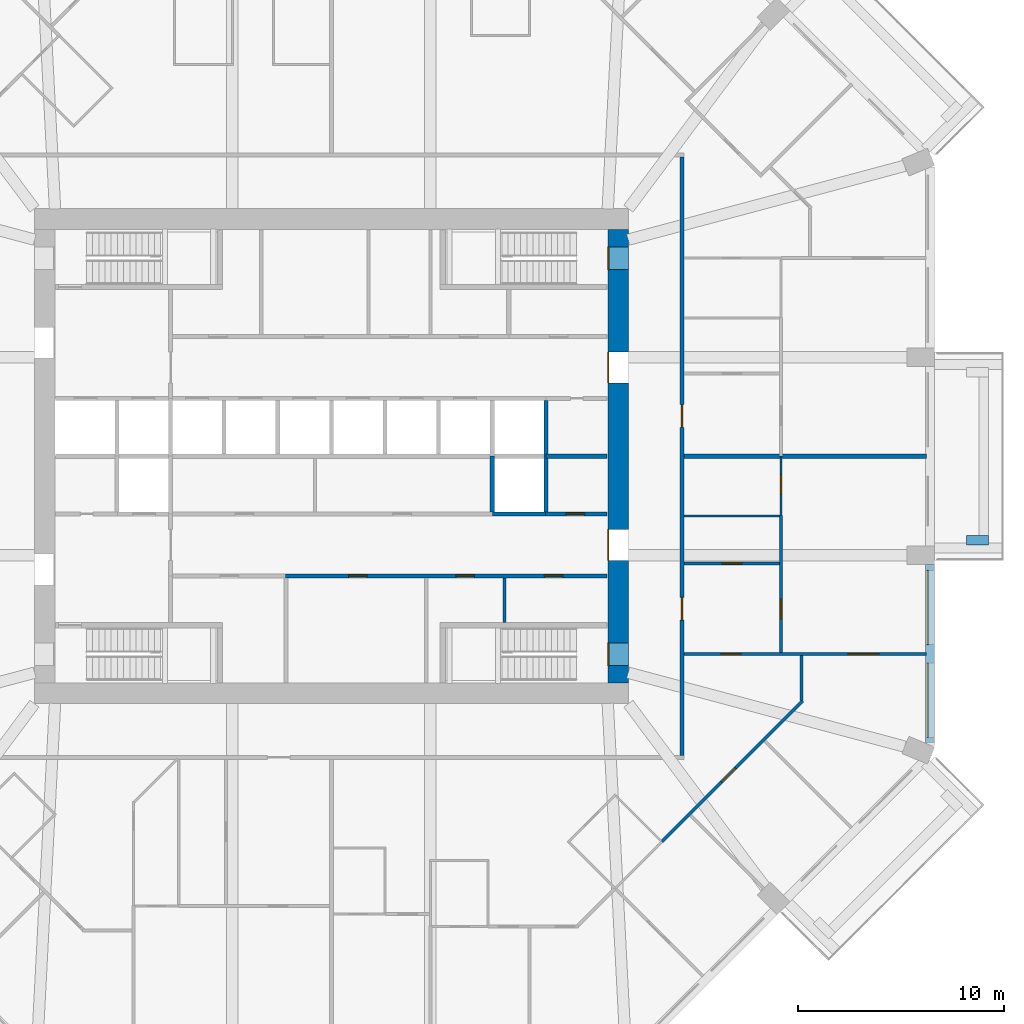
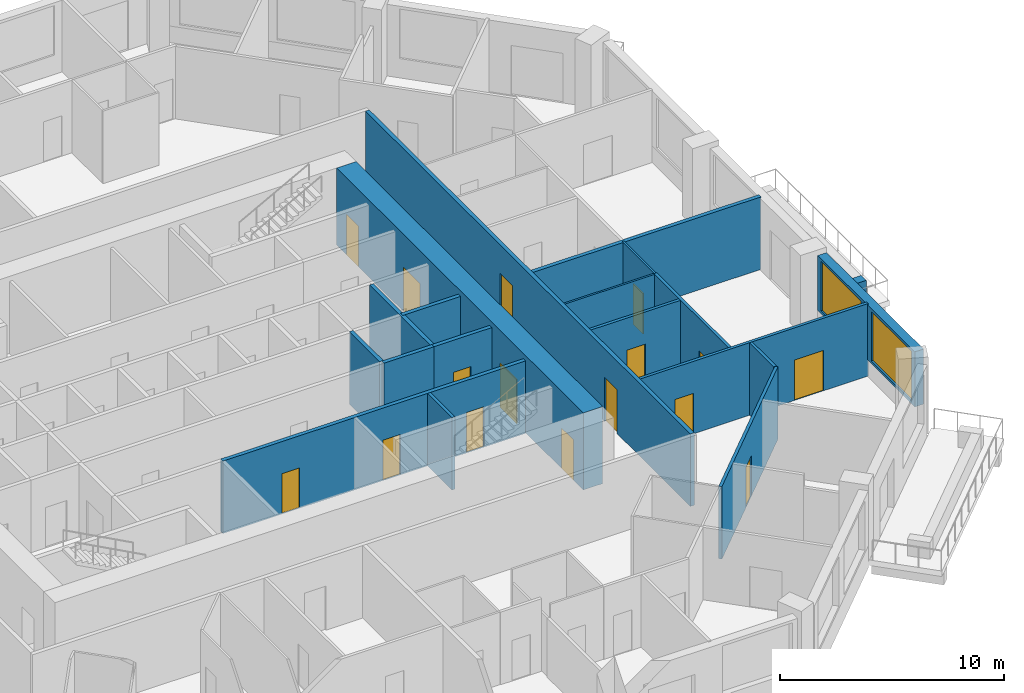
# One storey, part 6 of 13: 19 walls, 16 doors, 2 windows, 18 openings.
"""IFC4 building model written with IfcOpenShell, lengths in metres."""

import ifcopenshell
import ifcopenshell.guid

model = None  # the IFC model being written
_history = None  # IfcOwnerHistory: only IFC2X3 demands one
_inside = {}  # id of a spatial element -> (the spatial element, [elements in it])
_under = {}  # id of a project, library or spatial element -> (it, [spatial elements below it])
_declared = {}  # id of a project -> (the project, [libraries it declares])
_typed = {}  # id of a type object -> (the type object, [elements of that type])
_made_of = {}  # id of a material, layer set ... -> (it, [elements and type objects made of it])


def new_model(schema):
    """Start an empty IFC model of exactly this schema.

    Asked for "IFC4X3", IfcOpenShell would pick the latest addendum, in which some entities
    have other attributes; the version numbers below select the first issue.
    IFC2X3 requires an IfcOwnerHistory on every rooted entity: one is made here for all.
    """
    global model, _history
    if schema == "IFC4X3":
        model = ifcopenshell.file(schema_version=(4, 3, 0, 0))
    else:
        model = ifcopenshell.file(schema=schema)
    _inside.clear()
    _under.clear()
    _declared.clear()
    _typed.clear()
    _made_of.clear()
    _history = None
    if model.schema == "IFC2X3":
        org = make("IfcOrganization", Name="unknown")
        user = make(
            "IfcPersonAndOrganization",
            ThePerson=make("IfcPerson", FamilyName="unknown"),
            TheOrganization=org,
        )
        app = make(
            "IfcApplication",
            ApplicationDeveloper=org,
            Version="unknown",
            ApplicationFullName="unknown",
            ApplicationIdentifier="unknown",
        )
        _history = make(
            "IfcOwnerHistory",
            OwningUser=user,
            OwningApplication=app,
            ChangeAction="ADDED",
            CreationDate=0,
        )
    return model


def make(cls, **values):
    """One entity of the class cls with the attributes given. An attribute that is None is left unset."""
    return model.create_entity(
        cls, **{name: value for name, value in values.items() if value is not None}
    )


def rooted(cls, **values):
    """An entity with a GlobalId (a new one), such as an element, a storey or a relation."""
    return make(cls, GlobalId=ifcopenshell.guid.new(), OwnerHistory=_history, **values)


def si_unit(unit_type, name, prefix=None):
    """IfcSIUnit, for example si_unit("LENGTHUNIT", "METRE", prefix="MILLI")."""
    return make("IfcSIUnit", UnitType=unit_type, Prefix=prefix, Name=name)


def assignment(units):
    """IfcUnitAssignment: the units of a project."""
    return None if units is None else make("IfcUnitAssignment", Units=units)


def point(xyz):
    """IfcCartesianPoint."""
    return None if xyz is None else make("IfcCartesianPoint", Coordinates=xyz)


def direction(xyz):
    """IfcDirection."""
    return None if xyz is None else make("IfcDirection", DirectionRatios=xyz)


def frame(location, z_axis=None, x_axis=None):
    """IfcAxis2Placement3D, a coordinate frame: its origin and axes. An axis left out is left unset."""
    return make(
        "IfcAxis2Placement3D",
        Location=point(location),
        Axis=direction(z_axis),
        RefDirection=direction(x_axis),
    )


def frame_2d(location, x_axis=None):
    """IfcAxis2Placement2D, a coordinate frame in the plane: its origin and x axis."""
    return make(
        "IfcAxis2Placement2D", Location=point(location), RefDirection=direction(x_axis)
    )


def origin():
    """The frame at (0, 0, 0) with its axes left unset."""
    return frame((0.0, 0.0, 0.0))


def place(relative_to, where):
    """IfcLocalPlacement: puts the frame where relative to a parent placement (None: the world)."""
    return make(
        "IfcLocalPlacement", PlacementRelTo=relative_to, RelativePlacement=where
    )


def context(
    kind, dimensions, precision=None, world=None, true_north=None, identifier=None
):
    """IfcGeometricRepresentationContext, for example the 3D "Model" context."""
    return make(
        "IfcGeometricRepresentationContext",
        ContextIdentifier=identifier,
        ContextType=kind,
        CoordinateSpaceDimension=dimensions,
        Precision=precision,
        WorldCoordinateSystem=world,
        TrueNorth=true_north,
    )


def subcontext(parent, identifier, kind, view, scale=None):
    """IfcGeometricRepresentationSubContext, for example "Body" below "Model"."""
    return make(
        "IfcGeometricRepresentationSubContext",
        ContextIdentifier=identifier,
        ContextType=kind,
        ParentContext=parent,
        TargetScale=scale,
        TargetView=view,
    )


def project(units=None, contexts=None):
    """IfcProject with its units and contexts."""
    return rooted(
        "IfcProject",
        Name="project",
        RepresentationContexts=contexts,
        UnitsInContext=assignment(units),
    )


def spatial(cls, under=None, at=None, **own):
    """A site, building, storey or space (cls), placed at a placement, below another one or the project."""
    s = rooted(cls, ObjectPlacement=at, **own)
    if under is not None:
        _under.setdefault(under.id(), (under, []))[1].append(s)
    return s


def profile(cls, at=None, kind="AREA", **sizes):
    """A parametric profile (cls). Its sizes go by their IFC names, for example OverallWidth=200.0."""
    return make(cls, ProfileType=kind, Position=at, **sizes)


def rectangle(**sizes):
    """IfcRectangleProfileDef."""
    return profile("IfcRectangleProfileDef", **sizes)


def extrude(swept, where, along, depth):
    """IfcExtrudedAreaSolid: the profile swept, set in the frame where, extruded along a direction by depth."""
    return make(
        "IfcExtrudedAreaSolid",
        SweptArea=swept,
        Position=where,
        ExtrudedDirection=direction(along),
        Depth=depth,
    )


def shape(context_of_items, identifier, shape_type, items):
    """IfcShapeRepresentation: the items that make up one representation, for example the "Body"."""
    return make(
        "IfcShapeRepresentation",
        ContextOfItems=context_of_items,
        RepresentationIdentifier=identifier,
        RepresentationType=shape_type,
        Items=items,
    )


def material(Name=None, Category=None):
    """IfcMaterial."""
    return make("IfcMaterial", Name=Name, Category=Category)


def layer(
    of_material, thickness, ventilated=None, Name=None, Category=None, Priority=None
):
    """IfcMaterialLayer: one layer of a wall or slab, of a material (None: an air gap)."""
    return make(
        "IfcMaterialLayer",
        Material=of_material,
        LayerThickness=thickness,
        IsVentilated=ventilated,
        Name=Name,
        Category=Category,
        Priority=Priority,
    )


def layer_set(layers, Name=None):
    """IfcMaterialLayerSet."""
    return make("IfcMaterialLayerSet", MaterialLayers=layers, LayerSetName=Name)


def made_of(thing, what):
    """Note that an element or type object is made of a material, layer set ...; save() writes the relation."""
    if what is not None:
        _made_of.setdefault(what.id(), (what, []))[1].append(thing)
    return thing


def type_object(cls, material=None, **own):
    """A type object (cls), such as IfcWallType, which elements share."""
    return made_of(rooted(cls, **own), material)


def element(
    cls,
    number,
    at=None,
    inside=None,
    cuts=None,
    type_object=None,
    material=None,
    context=None,
    identifier="Body",
    shape_type=None,
    held_by="IfcProductDefinitionShape",
    body=None,
    shapes=None,
    **own,
):
    """One element of the class cls, such as IfcWall. Its Tag is "e" and its number.

    at: its placement. inside: the storey or other place that contains it. cuts: it is an
    opening in that element (IfcRelVoidsElement). A single representation is given by context,
    identifier, shape_type and body (its items); several are given by shapes. held_by: the class
    of the entity that holds the representations. save() writes the other relations.
    """
    e = rooted(cls, Tag="e%d" % number, ObjectPlacement=at, **own)
    if body is not None:
        shapes = [shape(context, identifier, shape_type, body)]
    if shapes is not None:
        e.Representation = make(held_by, Representations=shapes)
    if inside is not None:
        _inside.setdefault(inside.id(), (inside, []))[1].append(e)
    if cuts is not None:
        rooted(
            "IfcRelVoidsElement", RelatingBuildingElement=cuts, RelatedOpeningElement=e
        )
    if type_object is not None:
        _typed.setdefault(type_object.id(), (type_object, []))[1].append(e)
    return made_of(e, material)


def fill(opening, filler):
    """IfcRelFillsElement: the door or window that sits in an opening."""
    return rooted(
        "IfcRelFillsElement",
        RelatingOpeningElement=opening,
        RelatedBuildingElement=filler,
    )


def aggregate(whole, parts):
    """IfcRelAggregates: a whole, such as a stair, and the parts it consists of."""
    return rooted("IfcRelAggregates", RelatingObject=whole, RelatedObjects=parts)


def save(model, path):
    """Write the relations noted so far, then the file.

    IfcRelAggregates (storeys below a building ...), IfcRelContainedInSpatialStructure (elements
    in a storey), IfcRelDefinesByType, IfcRelAssociatesMaterial and IfcRelDeclares: one each for
    every whole, place, type object, material and project.
    """
    for whole, parts in _under.values():
        aggregate(whole, parts)
    for where, things in _inside.values():
        rooted(
            "IfcRelContainedInSpatialStructure",
            RelatedElements=things,
            RelatingStructure=where,
        )
    for kind, things in _typed.values():
        rooted("IfcRelDefinesByType", RelatedObjects=things, RelatingType=kind)
    for what, things in _made_of.values():
        rooted("IfcRelAssociatesMaterial", RelatedObjects=things, RelatingMaterial=what)
    for by, libraries in _declared.values():
        rooted("IfcRelDeclares", RelatingContext=by, RelatedDefinitions=libraries)
    model.write(path)


model = new_model("IFC4")

# Units and contexts
model_context = context("Model", 3, precision=1e-05, world=origin(), true_north=direction((0.0, 1.0)))
body_context = subcontext(model_context, "Body", "Model", "MODEL_VIEW")
ifc_project = project(units=[si_unit("LENGTHUNIT", "METRE"), si_unit("AREAUNIT", "SQUARE_METRE"), si_unit("VOLUMEUNIT", "CUBIC_METRE"), si_unit("PLANEANGLEUNIT", "RADIAN"), si_unit("MASSUNIT", "GRAM", prefix="KILO")], contexts=[model_context])

# Site, building, storey
site_placement = place(None, origin())
site = spatial("IfcSite", under=ifc_project, at=site_placement, CompositionType="ELEMENT")
building_placement = place(site_placement, origin())
building = spatial("IfcBuilding", under=site, at=building_placement, Name="Msitu Wima Residences", CompositionType="ELEMENT")
storey_placement = place(building_placement, frame((0.0, 0.0, 46.5)))
storey = spatial("IfcBuildingStorey", under=building, at=storey_placement, Name="L10", CompositionType="ELEMENT", Elevation=46.5)

# Wall
ifc_material_1 = material(Name="Facing brick")
ifc_layer_1 = layer(ifc_material_1, 0.06494140625, Name="Facing brick")
ifc_material_2 = material(Name="Concrete C40/50", Category="concrete")
ifc_layer_2 = layer(ifc_material_2, 0.156005859375, Name="Concrete C40/50")
ifc_material_3 = material(Name="Waterproofing membrane")
ifc_layer_3 = layer(ifc_material_3, 0.00390625, Name="Waterproofing membrane")
ifc_material_4 = material(Name="Planting soil and planting")
ifc_layer_4 = layer(ifc_material_4, 0.22509765625, Name="Planting soil and planting")
ifc_layer_set_1 = layer_set([ifc_layer_1, ifc_layer_2, ifc_layer_3, ifc_layer_4], Name="Concrete C40/50")
wall_type_1 = type_object("IfcWallType", Name="Balcony planter PLANTER PL450", PredefinedType="USERDEFINED", material=ifc_layer_set_1)
wall_1_placement = place(storey_placement, frame((30.800048828125, -4.074951171875, 0.0), z_axis=(0.0, 0.0, 1.0), x_axis=(1.0, 0.0, 0.0)))
element("IfcWall", 1, at=wall_1_placement, inside=storey, type_object=wall_type_1, Name="Balcony planter E1 L10", ObjectType="PLANTER", PredefinedType="USERDEFINED", context=body_context, shape_type="SweptSolid", body=[
    extrude(rectangle(XDim=1.050048828125, YDim=0.449951171875, at=frame_2d((0.52490234375, 0.0))), origin(), (0.0, 0.0, 1.0), 0.89990234375),
])

# Wall, openings, windows
ifc_material_5 = material(Name="Brick (red buff mix)", Category="masonry")
ifc_layer_5 = layer(ifc_material_5, 0.449951171875)
ifc_layer_set_2 = layer_set([ifc_layer_5], Name="Brick (red buff mix)")
wall_type_2 = type_object("IfcWallType", Name="Brick infill wall BW450", PredefinedType="SOLIDWALL", material=ifc_layer_set_2)
wall_2_placement = place(storey_placement, frame((29.02490234375, -13.912841796875, 0.89990234375), z_axis=(0.0, 0.0, 1.0), x_axis=(0.0, 1.0, 0.0)))
wall_2 = element("IfcWall", 2, at=wall_2_placement, inside=storey, type_object=wall_type_2, Name="Brick infill wall L10 E0", PredefinedType="SOLIDWALL", context=body_context, shape_type="SweptSolid", body=[
    extrude(rectangle(XDim=8.662841796875, YDim=0.449951171875, at=frame_2d((4.33154296875, 0.0))), origin(), (0.0, 0.0, 1.0), 3.0),
])
opening_1_placement = place(wall_2_placement, frame((0.281494140625, 0.0, 0.14990234375)))
opening_1 = element("IfcOpeningElement", 3, at=opening_1_placement, cuts=wall_2, Name="Opening W08-10.001", PredefinedType="OPENING", context=body_context, shape_type="SweptSolid", body=[
    extrude(rectangle(XDim=3.60009765625, YDim=2.699951171875, at=frame_2d((1.800048828125, 1.35009765625))), frame((0.0, 0.23486328125, 0.0), z_axis=(0.0, -1.0, 0.0), x_axis=(1.0, 0.0, 0.0)), (0.0, 0.0, 1.0), 0.469970703125),
])
opening_2_placement = place(wall_2_placement, frame((4.781494140625, 0.0, 0.14990234375)))
opening_2 = element("IfcOpeningElement", 4, at=opening_2_placement, cuts=wall_2, Name="Opening W08-10.002", PredefinedType="OPENING", context=body_context, shape_type="SweptSolid", body=[
    extrude(rectangle(XDim=3.60009765625, YDim=2.699951171875, at=frame_2d((1.800048828125, 1.35009765625))), frame((0.0, 0.23486328125, 0.0), z_axis=(0.0, -1.0, 0.0), x_axis=(1.0, 0.0, 0.0)), (0.0, 0.0, 1.0), 0.469970703125),
])
ifc_material_6 = material(Name="Anodised aluminium, bronze finish, clear low-emissivity double glazing", Category="aluminium")
window_type = type_object("IfcWindowType", Name="Window W3600x2700", PartitioningType="DOUBLE_PANEL_VERTICAL", PredefinedType="WINDOW", material=ifc_material_6)
window_1_placement = place(opening_1_placement, origin())
window_1 = element("IfcWindow", 5, at=window_1_placement, inside=storey, type_object=window_type, Name="Window L10 E0.1", OverallHeight=2.699951171875, OverallWidth=3.60009765625, PartitioningType="SINGLE_PANEL", PredefinedType="WINDOW", context=body_context, shape_type="SweptSolid", body=[
    extrude(rectangle(XDim=3.60009765625, YDim=2.699951171875, at=frame_2d((1.800048828125, 1.35009765625))), frame((0.0, 0.135009765625, 0.0), z_axis=(0.0, -1.0, 0.0), x_axis=(1.0, 0.0, 0.0)), (0.0, 0.0, 1.0), 0.06005859375),
])
fill(opening_1, window_1)
window_2_placement = place(opening_2_placement, origin())
window_2 = element("IfcWindow", 6, at=window_2_placement, inside=storey, type_object=window_type, Name="Window L10 E0.2", OverallHeight=2.699951171875, OverallWidth=3.60009765625, PartitioningType="SINGLE_PANEL", PredefinedType="WINDOW", context=body_context, shape_type="SweptSolid", body=[
    extrude(rectangle(XDim=3.60009765625, YDim=2.699951171875, at=frame_2d((1.800048828125, 1.35009765625))), frame((0.0, 0.135009765625, 0.0), z_axis=(0.0, -1.0, 0.0), x_axis=(1.0, 0.0, 0.0)), (0.0, 0.0, 1.0), 0.06005859375),
])
fill(opening_2, window_2)

# Wall, openings, doors
ifc_material_7 = material(Name="Concrete C80/95", Category="concrete")
ifc_layer_6 = layer(ifc_material_7, 1.0)
ifc_layer_set_3 = layer_set([ifc_layer_6], Name="Concrete C80/95")
wall_type_3 = type_object("IfcWallType", Name="Core wall CW1000 C80/95", PredefinedType="SHEAR", material=ifc_layer_set_3)
wall_3_placement = place(storey_placement, frame((13.89990234375, -11.0, 0.0), z_axis=(0.0, 0.0, 1.0), x_axis=(0.0, 1.0, 0.0)))
wall_3 = element("IfcWall", 7, at=wall_3_placement, inside=storey, type_object=wall_type_3, Name="Core wall", PredefinedType="SHEAR", context=body_context, shape_type="SweptSolid", body=[
    extrude(rectangle(XDim=22.0, YDim=1.0, at=frame_2d((11.0, 0.0))), origin(), (0.0, 0.0, 1.0), 4.199951171875),
])
opening_3_placement = place(wall_3_placement, frame((20.050048828125, 0.0, 0.0)))
opening_3 = element("IfcOpeningElement", 8, at=opening_3_placement, cuts=wall_3, Name="Opening D08-10.039", PredefinedType="OPENING", context=body_context, shape_type="SweptSolid", body=[
    extrude(rectangle(XDim=1.10009765625, YDim=2.199951171875, at=frame_2d((0.550048828125, 1.10009765625))), frame((0.0, 0.510009765625, 0.0), z_axis=(0.0, -1.0, 0.0), x_axis=(1.0, 0.0, 0.0)), (0.0, 0.0, 1.0), 1.02001953125),
])
opening_4_placement = place(wall_3_placement, frame((0.85009765625, 0.0, 0.0)))
opening_4 = element("IfcOpeningElement", 9, at=opening_4_placement, cuts=wall_3, Name="Opening D08-10.040", PredefinedType="OPENING", context=body_context, shape_type="SweptSolid", body=[
    extrude(rectangle(XDim=1.10009765625, YDim=2.199951171875, at=frame_2d((0.550048828125, 1.10009765625))), frame((0.0, 0.510009765625, 0.0), z_axis=(0.0, -1.0, 0.0), x_axis=(1.0, 0.0, 0.0)), (0.0, 0.0, 1.0), 1.02001953125),
])
opening_5_placement = place(wall_3_placement, frame((14.550048828125, 0.0, 0.0)))
opening_5 = element("IfcOpeningElement", 10, at=opening_5_placement, cuts=wall_3, Name="Opening D08-10.029", PredefinedType="OPENING", context=body_context, shape_type="SweptSolid", body=[
    extrude(rectangle(XDim=1.5, YDim=2.39990234375, at=frame_2d((0.75, 1.199951171875))), frame((0.0, 0.510009765625, 0.0), z_axis=(0.0, -1.0, 0.0), x_axis=(1.0, 0.0, 0.0)), (0.0, 0.0, 1.0), 1.02001953125),
])
opening_6_placement = place(wall_3_placement, frame((5.949951171875, 0.0, 0.0)))
opening_6 = element("IfcOpeningElement", 11, at=opening_6_placement, cuts=wall_3, Name="Opening D08-10.030", PredefinedType="OPENING", context=body_context, shape_type="SweptSolid", body=[
    extrude(rectangle(XDim=1.5, YDim=2.39990234375, at=frame_2d((0.75, 1.199951171875))), frame((0.0, 0.510009765625, 0.0), z_axis=(0.0, -1.0, 0.0), x_axis=(1.0, 0.0, 0.0)), (0.0, 0.0, 1.0), 1.02001953125),
])
ifc_material_8 = material(Name="Steel framed glazed door, fire resisting", Category="steel")
door_type_1 = type_object("IfcDoorType", Name="Lobby door D07 1500x2400", OperationType="DOUBLE_DOOR_SINGLE_SWING", PredefinedType="DOOR", material=ifc_material_8)
door_1_placement = place(opening_5_placement, origin())
door_1 = element("IfcDoor", 12, at=door_1_placement, inside=storey, type_object=door_type_1, Name="Lobby door", OperationType="DOUBLE_DOOR_SINGLE_SWING", OverallHeight=2.39990234375, OverallWidth=1.5, PredefinedType="DOOR", context=body_context, shape_type="SweptSolid", body=[
    extrude(rectangle(XDim=1.5, YDim=2.39990234375, at=frame_2d((0.75, 1.199951171875))), frame((0.0, 0.4951171875, 0.0), z_axis=(0.0, -1.0, 0.0), x_axis=(1.0, 0.0, 0.0)), (0.0, 0.0, 1.0), 0.050048828125),
])
fill(opening_5, door_1)
door_2_placement = place(opening_6_placement, origin())
door_2 = element("IfcDoor", 13, at=door_2_placement, inside=storey, type_object=door_type_1, Name="Lobby door", OperationType="DOUBLE_DOOR_SINGLE_SWING", OverallHeight=2.39990234375, OverallWidth=1.5, PredefinedType="DOOR", context=body_context, shape_type="SweptSolid", body=[
    extrude(rectangle(XDim=1.5, YDim=2.39990234375, at=frame_2d((0.75, 1.199951171875))), frame((0.0, 0.4951171875, 0.0), z_axis=(0.0, -1.0, 0.0), x_axis=(1.0, 0.0, 0.0)), (0.0, 0.0, 1.0), 0.050048828125),
])
fill(opening_6, door_2)
ifc_material_9 = material(Name="Steel door, fire resisting, panic bar", Category="steel")
door_type_2 = type_object("IfcDoorType", Name="Stair door D06 1100x2200", OperationType="SINGLE_SWING_LEFT", PredefinedType="DOOR", material=ifc_material_9)
door_3_placement = place(opening_3_placement, origin())
door_3 = element("IfcDoor", 14, at=door_3_placement, inside=storey, type_object=door_type_2, Name="Stair door", OperationType="SINGLE_SWING_LEFT", OverallHeight=2.199951171875, OverallWidth=1.10009765625, PredefinedType="DOOR", context=body_context, shape_type="SweptSolid", body=[
    extrude(rectangle(XDim=1.10009765625, YDim=2.199951171875, at=frame_2d((0.550048828125, 1.10009765625))), frame((0.0, 0.4951171875, 0.0), z_axis=(0.0, -1.0, 0.0), x_axis=(1.0, 0.0, 0.0)), (0.0, 0.0, 1.0), 0.050048828125),
])
fill(opening_3, door_3)
door_4_placement = place(opening_4_placement, origin())
door_4 = element("IfcDoor", 15, at=door_4_placement, inside=storey, type_object=door_type_2, Name="Stair door", OperationType="SINGLE_SWING_RIGHT", OverallHeight=2.199951171875, OverallWidth=1.10009765625, PredefinedType="DOOR", context=body_context, shape_type="SweptSolid", body=[
    extrude(rectangle(XDim=1.10009765625, YDim=2.199951171875, at=frame_2d((0.550048828125, 1.10009765625))), frame((0.0, 0.4951171875, 0.0), z_axis=(0.0, -1.0, 0.0), x_axis=(1.0, 0.0, 0.0)), (0.0, 0.0, 1.0), 0.050048828125),
])
fill(opening_4, door_4)

ifc_material_10 = material(Name="Plaster")
ifc_layer_7 = layer(ifc_material_10, 0.011962890625, Name="Plaster")
ifc_material_11 = material(Name="Concrete blockwork", Category="masonry")
ifc_layer_8 = layer(ifc_material_11, 0.176025390625, Name="Concrete blockwork")
ifc_layer_9 = layer(ifc_material_10, 0.011962890625, Name="Plaster")
ifc_layer_set_4 = layer_set([ifc_layer_7, ifc_layer_8, ifc_layer_9], Name="Concrete blockwork")
wall_type_4 = type_object("IfcWallType", Name="Corridor wall FW200", PredefinedType="PARTITIONING", material=ifc_layer_set_4)
wall_4_placement = place(storey_placement, frame((-2.219970703125, -5.800048828125, 0.0), z_axis=(0.0, 0.0, 1.0), x_axis=(1.0, 0.0, 0.0)))
wall_4 = element("IfcWall", 16, at=wall_4_placement, inside=storey, type_object=wall_type_4, Name="Corridor wall", PredefinedType="PARTITIONING", context=body_context, shape_type="SweptSolid", body=[
    extrude(rectangle(XDim=15.590087890625, YDim=0.199951171875, at=frame_2d((7.794921875, 0.0))), origin(), (0.0, 0.0, 1.0), 3.949951171875),
])
opening_7_placement = place(wall_4_placement, frame((3.050048828125, 0.0, 0.0)))
opening_7 = element("IfcOpeningElement", 17, at=opening_7_placement, cuts=wall_4, Name="Opening D08-10.026", PredefinedType="OPENING", context=body_context, shape_type="SweptSolid", body=[
    extrude(rectangle(XDim=0.89990234375, YDim=2.199951171875, at=frame_2d((0.449951171875, 1.10009765625))), frame((0.0, 0.10986328125, 0.0), z_axis=(0.0, -1.0, 0.0), x_axis=(1.0, 0.0, 0.0)), (0.0, 0.0, 1.0), 0.219970703125),
])
opening_8_placement = place(wall_4_placement, frame((8.25, 0.0, 0.0)))
opening_8 = element("IfcOpeningElement", 18, at=opening_8_placement, cuts=wall_4, Name="Opening D08-10.027", PredefinedType="OPENING", context=body_context, shape_type="SweptSolid", body=[
    extrude(rectangle(XDim=0.89990234375, YDim=2.199951171875, at=frame_2d((0.449951171875, 1.10009765625))), frame((0.0, 0.10986328125, 0.0), z_axis=(0.0, -1.0, 0.0), x_axis=(1.0, 0.0, 0.0)), (0.0, 0.0, 1.0), 0.219970703125),
])
opening_9_placement = place(wall_4_placement, frame((12.550048828125, 0.0, 0.0)))
opening_9 = element("IfcOpeningElement", 19, at=opening_9_placement, cuts=wall_4, Name="Opening D08-10.028", PredefinedType="OPENING", context=body_context, shape_type="SweptSolid", body=[
    extrude(rectangle(XDim=0.89990234375, YDim=2.199951171875, at=frame_2d((0.449951171875, 1.10009765625))), frame((0.0, 0.10986328125, 0.0), z_axis=(0.0, -1.0, 0.0), x_axis=(1.0, 0.0, 0.0)), (0.0, 0.0, 1.0), 0.219970703125),
])
ifc_material_12 = material(Name="Timber flush door", Category="wood")
door_type_3 = type_object("IfcDoorType", Name="Service door D05 900x2200", OperationType="SINGLE_SWING_LEFT", PredefinedType="DOOR", material=ifc_material_12)
door_5_placement = place(opening_7_placement, origin())
door_5 = element("IfcDoor", 20, at=door_5_placement, inside=storey, type_object=door_type_3, Name="Service door", OperationType="SINGLE_SWING_LEFT", OverallHeight=2.199951171875, OverallWidth=0.89990234375, PredefinedType="DOOR", context=body_context, shape_type="SweptSolid", body=[
    extrude(rectangle(XDim=0.89990234375, YDim=2.199951171875, at=frame_2d((0.449951171875, 1.10009765625))), frame((0.0, 0.02490234375, 0.0), z_axis=(0.0, -1.0, 0.0), x_axis=(1.0, 0.0, 0.0)), (0.0, 0.0, 1.0), 0.050048828125),
])
fill(opening_7, door_5)
door_6_placement = place(opening_8_placement, origin())
door_6 = element("IfcDoor", 21, at=door_6_placement, inside=storey, type_object=door_type_3, Name="Service door", OperationType="SINGLE_SWING_RIGHT", OverallHeight=2.199951171875, OverallWidth=0.89990234375, PredefinedType="DOOR", context=body_context, shape_type="SweptSolid", body=[
    extrude(rectangle(XDim=0.89990234375, YDim=2.199951171875, at=frame_2d((0.449951171875, 1.10009765625))), frame((0.0, 0.02490234375, 0.0), z_axis=(0.0, -1.0, 0.0), x_axis=(1.0, 0.0, 0.0)), (0.0, 0.0, 1.0), 0.050048828125),
])
fill(opening_8, door_6)
door_7_placement = place(opening_9_placement, origin())
door_7 = element("IfcDoor", 22, at=door_7_placement, inside=storey, type_object=door_type_3, Name="Service door", OperationType="SINGLE_SWING_RIGHT", OverallHeight=2.199951171875, OverallWidth=0.89990234375, PredefinedType="DOOR", context=body_context, shape_type="SweptSolid", body=[
    extrude(rectangle(XDim=0.89990234375, YDim=2.199951171875, at=frame_2d((0.449951171875, 1.10009765625))), frame((0.0, 0.02490234375, 0.0), z_axis=(0.0, -1.0, 0.0), x_axis=(1.0, 0.0, 0.0)), (0.0, 0.0, 1.0), 0.050048828125),
])
fill(opening_9, door_7)

wall_5_placement = place(storey_placement, frame((17.0, -14.5, 0.0), z_axis=(0.0, 0.0, 1.0), x_axis=(0.0, 1.0, 0.0)))
wall_5 = element("IfcWall", 23, at=wall_5_placement, inside=storey, type_object=wall_type_4, Name="Corridor wall", PredefinedType="PARTITIONING", context=body_context, shape_type="SweptSolid", body=[
    extrude(rectangle(XDim=29.0, YDim=0.199951171875, at=frame_2d((14.5, 0.0))), origin(), (0.0, 0.0, 1.0), 3.949951171875),
])
opening_10_placement = place(wall_5_placement, frame((15.89990234375, 0.0, 0.0)))
opening_10 = element("IfcOpeningElement", 24, at=opening_10_placement, cuts=wall_5, Name="Opening D08-10.011", PredefinedType="OPENING", context=body_context, shape_type="SweptSolid", body=[
    extrude(rectangle(XDim=1.10009765625, YDim=2.39990234375, at=frame_2d((0.550048828125, 1.199951171875))), frame((0.0, 0.10986328125, 0.0), z_axis=(0.0, -1.0, 0.0), x_axis=(1.0, 0.0, 0.0)), (0.0, 0.0, 1.0), 0.219970703125),
])
opening_11_placement = place(wall_5_placement, frame((6.550048828125, 0.0, 0.0)))
opening_11 = element("IfcOpeningElement", 25, at=opening_11_placement, cuts=wall_5, Name="Opening D08-10.014", PredefinedType="OPENING", context=body_context, shape_type="SweptSolid", body=[
    extrude(rectangle(XDim=1.10009765625, YDim=2.39990234375, at=frame_2d((0.550048828125, 1.199951171875))), frame((0.0, 0.10986328125, 0.0), z_axis=(0.0, -1.0, 0.0), x_axis=(1.0, 0.0, 0.0)), (0.0, 0.0, 1.0), 0.219970703125),
])
ifc_material_13 = material(Name="Timber flush door, fire resisting, self-closing", Category="wood")
door_type_4 = type_object("IfcDoorType", Name="Flat entrance door D01 1100x2400", OperationType="SINGLE_SWING_LEFT", PredefinedType="DOOR", material=ifc_material_13)
door_8_placement = place(opening_10_placement, origin())
door_8 = element("IfcDoor", 26, at=door_8_placement, inside=storey, type_object=door_type_4, Name="Flat entrance door", OperationType="SINGLE_SWING_RIGHT", OverallHeight=2.39990234375, OverallWidth=1.10009765625, PredefinedType="DOOR", context=body_context, shape_type="SweptSolid", body=[
    extrude(rectangle(XDim=1.10009765625, YDim=2.39990234375, at=frame_2d((0.550048828125, 1.199951171875))), frame((0.0, 0.02490234375, 0.0), z_axis=(0.0, -1.0, 0.0), x_axis=(1.0, 0.0, 0.0)), (0.0, 0.0, 1.0), 0.050048828125),
])
fill(opening_10, door_8)
door_9_placement = place(opening_11_placement, origin())
door_9 = element("IfcDoor", 27, at=door_9_placement, inside=storey, type_object=door_type_4, Name="Flat entrance door", OperationType="SINGLE_SWING_RIGHT", OverallHeight=2.39990234375, OverallWidth=1.10009765625, PredefinedType="DOOR", context=body_context, shape_type="SweptSolid", body=[
    extrude(rectangle(XDim=1.10009765625, YDim=2.39990234375, at=frame_2d((0.550048828125, 1.199951171875))), frame((0.0, 0.02490234375, 0.0), z_axis=(0.0, -1.0, 0.0), x_axis=(1.0, 0.0, 0.0)), (0.0, 0.0, 1.0), 0.050048828125),
])
fill(opening_11, door_9)

# Wall
ifc_layer_10 = layer(ifc_material_10, 0.011962890625, Name="Plaster")
ifc_layer_11 = layer(ifc_material_11, 0.1259765625, Name="Concrete blockwork")
ifc_layer_12 = layer(ifc_material_10, 0.011962890625, Name="Plaster")
ifc_layer_set_5 = layer_set([ifc_layer_10, ifc_layer_11, ifc_layer_12], Name="Concrete blockwork")
wall_type_5 = type_object("IfcWallType", Name="Partition PW150", PredefinedType="PARTITIONING", material=ifc_layer_set_5)
wall_6_placement = place(storey_placement, frame((8.39990234375, -8.074951171875, 0.0), z_axis=(0.0, 0.0, 1.0), x_axis=(0.0, 1.0, 0.0)))
element("IfcWall", 28, at=wall_6_placement, inside=storey, type_object=wall_type_5, Name="Partition", PredefinedType="PARTITIONING", context=body_context, shape_type="SweptSolid", body=[
    extrude(rectangle(XDim=2.175048828125, YDim=0.14990234375, at=frame_2d((1.08740234375, 0.0))), origin(), (0.0, 0.0, 1.0), 3.949951171875),
])

# Wall, opening, door
wall_7_placement = place(storey_placement, frame((16.02001953125, -18.694580078125, 0.0), z_axis=(0.0, 0.0, 1.0), x_axis=(0.707106781187, 0.707106781187, 0.0)))
wall_7 = element("IfcWall", 29, at=wall_7_placement, inside=storey, type_object=wall_type_5, Name="Partition", PredefinedType="PARTITIONING", context=body_context, shape_type="SweptSolid", body=[
    extrude(rectangle(XDim=9.663330078125, YDim=0.14990234375, at=frame_2d((4.83154296875, 0.0))), origin(), (0.0, 0.0, 1.0), 3.949951171875),
])
opening_12_placement = place(wall_7_placement, frame((4.10009765625, 0.0, 0.0)))
opening_12 = element("IfcOpeningElement", 30, at=opening_12_placement, cuts=wall_7, Name="Opening D08-10.072", PredefinedType="OPENING", context=body_context, shape_type="SweptSolid", body=[
    extrude(rectangle(XDim=0.949951171875, YDim=2.199951171875, at=frame_2d((0.47509765625, 1.10009765625))), frame((0.0, 0.0849609375, 0.0), z_axis=(0.0, -1.0, 0.0), x_axis=(1.0, 0.0, 0.0)), (0.0, 0.0, 1.0), 0.169921875),
])
door_type_5 = type_object("IfcDoorType", Name="Room door D12 950x2200", OperationType="SINGLE_SWING_LEFT", PredefinedType="DOOR", material=ifc_material_12)
door_10_placement = place(opening_12_placement, origin())
door_10 = element("IfcDoor", 31, at=door_10_placement, inside=storey, type_object=door_type_5, Name="Room door", OperationType="SINGLE_SWING_LEFT", OverallHeight=2.199951171875, OverallWidth=0.949951171875, PredefinedType="DOOR", context=body_context, shape_type="SweptSolid", body=[
    extrude(rectangle(XDim=0.949951171875, YDim=2.199951171875, at=frame_2d((0.47509765625, 1.10009765625))), frame((0.0, 0.02490234375, 0.0), z_axis=(0.0, -1.0, 0.0), x_axis=(1.0, 0.0, 0.0)), (0.0, 0.0, 1.0), 0.050048828125),
])
fill(opening_12, door_10)

# Wall, openings, doors
wall_8_placement = place(storey_placement, frame((17.10009765625, -9.60009765625, 0.0), z_axis=(0.0, 0.0, 1.0), x_axis=(1.0, 0.0, 0.0)))
wall_8 = element("IfcWall", 32, at=wall_8_placement, inside=storey, type_object=wall_type_5, Name="Partition", PredefinedType="PARTITIONING", context=body_context, shape_type="SweptSolid", body=[
    extrude(rectangle(XDim=11.7548828125, YDim=0.14990234375, at=frame_2d((5.87744140625, 0.0))), origin(), (0.0, 0.0, 1.0), 3.949951171875),
])
opening_13_placement = place(wall_8_placement, frame((1.800048828125, 0.0, 0.0)))
opening_13 = element("IfcOpeningElement", 33, at=opening_13_placement, cuts=wall_8, Name="Opening D08-10.071", PredefinedType="OPENING", context=body_context, shape_type="SweptSolid", body=[
    extrude(rectangle(XDim=0.949951171875, YDim=2.199951171875, at=frame_2d((0.47509765625, 1.10009765625))), frame((0.0, 0.0849609375, 0.0), z_axis=(0.0, -1.0, 0.0), x_axis=(1.0, 0.0, 0.0)), (0.0, 0.0, 1.0), 0.169921875),
])
opening_14_placement = place(wall_8_placement, frame((7.949951171875, 0.0, 0.0)))
opening_14 = element("IfcOpeningElement", 34, at=opening_14_placement, cuts=wall_8, Name="Opening D08-10.080", PredefinedType="OPENING", context=body_context, shape_type="SweptSolid", body=[
    extrude(rectangle(XDim=1.5, YDim=2.199951171875, at=frame_2d((0.75, 1.10009765625))), frame((0.0, 0.0849609375, 0.0), z_axis=(0.0, -1.0, 0.0), x_axis=(1.0, 0.0, 0.0)), (0.0, 0.0, 1.0), 0.169921875),
])
ifc_material_14 = material(Name="Timber double door", Category="wood")
door_type_6 = type_object("IfcDoorType", Name="Double door D04 1500x2200", OperationType="DOUBLE_DOOR_SINGLE_SWING", PredefinedType="DOOR", material=ifc_material_14)
door_11_placement = place(opening_14_placement, origin())
door_11 = element("IfcDoor", 35, at=door_11_placement, inside=storey, type_object=door_type_6, Name="Double door", OperationType="DOUBLE_DOOR_SINGLE_SWING", OverallHeight=2.199951171875, OverallWidth=1.5, PredefinedType="DOOR", context=body_context, shape_type="SweptSolid", body=[
    extrude(rectangle(XDim=1.5, YDim=2.199951171875, at=frame_2d((0.75, 1.10009765625))), frame((0.0, 0.02490234375, 0.0), z_axis=(0.0, -1.0, 0.0), x_axis=(1.0, 0.0, 0.0)), (0.0, 0.0, 1.0), 0.050048828125),
])
fill(opening_14, door_11)
door_12_placement = place(opening_13_placement, origin())
door_12 = element("IfcDoor", 36, at=door_12_placement, inside=storey, type_object=door_type_5, Name="Room door", OperationType="SINGLE_SWING_RIGHT", OverallHeight=2.199951171875, OverallWidth=0.949951171875, PredefinedType="DOOR", context=body_context, shape_type="SweptSolid", body=[
    extrude(rectangle(XDim=0.949951171875, YDim=2.199951171875, at=frame_2d((0.47509765625, 1.10009765625))), frame((0.0, 0.02490234375, 0.0), z_axis=(0.0, -1.0, 0.0), x_axis=(1.0, 0.0, 0.0)), (0.0, 0.0, 1.0), 0.050048828125),
])
fill(opening_13, door_12)

# Wall, opening, door
wall_9_placement = place(storey_placement, frame((17.10009765625, -5.199951171875, 0.0), z_axis=(0.0, 0.0, 1.0), x_axis=(1.0, 0.0, 0.0)))
wall_9 = element("IfcWall", 37, at=wall_9_placement, inside=storey, type_object=wall_type_5, Name="Partition", PredefinedType="PARTITIONING", context=body_context, shape_type="SweptSolid", body=[
    extrude(rectangle(XDim=4.625, YDim=0.14990234375, at=frame_2d((2.3125, 0.0))), origin(), (0.0, 0.0, 1.0), 3.949951171875),
])
opening_15_placement = place(wall_9_placement, frame((1.85009765625, 0.0, 0.0)))
opening_15 = element("IfcOpeningElement", 38, at=opening_15_placement, cuts=wall_9, Name="Opening D08-10.077", PredefinedType="OPENING", context=body_context, shape_type="SweptSolid", body=[
    extrude(rectangle(XDim=0.949951171875, YDim=2.199951171875, at=frame_2d((0.47509765625, 1.10009765625))), frame((0.0, 0.0849609375, 0.0), z_axis=(0.0, -1.0, 0.0), x_axis=(1.0, 0.0, 0.0)), (0.0, 0.0, 1.0), 0.169921875),
])
door_13_placement = place(opening_15_placement, origin())
door_13 = element("IfcDoor", 39, at=door_13_placement, inside=storey, type_object=door_type_5, Name="Room door", OperationType="SINGLE_SWING_RIGHT", OverallHeight=2.199951171875, OverallWidth=0.949951171875, PredefinedType="DOOR", context=body_context, shape_type="SweptSolid", body=[
    extrude(rectangle(XDim=0.949951171875, YDim=2.199951171875, at=frame_2d((0.47509765625, 1.10009765625))), frame((0.0, 0.02490234375, 0.0), z_axis=(0.0, -1.0, 0.0), x_axis=(1.0, 0.0, 0.0)), (0.0, 0.0, 1.0), 0.050048828125),
])
fill(opening_15, door_13)

wall_10_placement = place(storey_placement, frame((21.800048828125, -9.52490234375, 0.0), z_axis=(0.0, 0.0, 1.0), x_axis=(0.0, 1.0, 0.0)))
wall_10 = element("IfcWall", 40, at=wall_10_placement, inside=storey, type_object=wall_type_5, Name="Partition", PredefinedType="PARTITIONING", context=body_context, shape_type="SweptSolid", body=[
    extrude(rectangle(XDim=6.64501953125, YDim=0.14990234375, at=frame_2d((3.322509765625, 0.0))), origin(), (0.0, 0.0, 1.0), 3.949951171875),
])
opening_16_placement = place(wall_10_placement, frame((1.64990234375, 0.0, 0.0)))
opening_16 = element("IfcOpeningElement", 41, at=opening_16_placement, cuts=wall_10, Name="Opening D08-10.073", PredefinedType="OPENING", context=body_context, shape_type="SweptSolid", body=[
    extrude(rectangle(XDim=0.949951171875, YDim=2.199951171875, at=frame_2d((0.47509765625, 1.10009765625))), frame((0.0, 0.0849609375, 0.0), z_axis=(0.0, -1.0, 0.0), x_axis=(1.0, 0.0, 0.0)), (0.0, 0.0, 1.0), 0.169921875),
])
door_14_placement = place(opening_16_placement, origin())
door_14 = element("IfcDoor", 42, at=door_14_placement, inside=storey, type_object=door_type_5, Name="Room door", OperationType="SINGLE_SWING_RIGHT", OverallHeight=2.199951171875, OverallWidth=0.949951171875, PredefinedType="DOOR", context=body_context, shape_type="SweptSolid", body=[
    extrude(rectangle(XDim=0.949951171875, YDim=2.199951171875, at=frame_2d((0.47509765625, 1.10009765625))), frame((0.0, 0.02490234375, 0.0), z_axis=(0.0, -1.0, 0.0), x_axis=(1.0, 0.0, 0.0)), (0.0, 0.0, 1.0), 0.050048828125),
])
fill(opening_16, door_14)

# Walls
wall_11_placement = place(storey_placement, frame((22.800048828125, -11.839599609375, 0.0), z_axis=(0.0, 0.0, 1.0), x_axis=(0.0, 1.0, 0.0)))
element("IfcWall", 43, at=wall_11_placement, inside=storey, type_object=wall_type_5, Name="Partition", PredefinedType="PARTITIONING", context=body_context, shape_type="SweptSolid", body=[
    extrude(rectangle(XDim=2.16455078125, YDim=0.14990234375, at=frame_2d((1.082275390625, 0.0))), origin(), (0.0, 0.0, 1.0), 3.949951171875),
])
ifc_layer_13 = layer(ifc_material_10, 0.011962890625, Name="Plaster")
ifc_material_15 = material(Name="Dense concrete blockwork", Category="masonry")
ifc_layer_14 = layer(ifc_material_15, 0.176025390625, Name="Dense concrete blockwork")
ifc_layer_15 = layer(ifc_material_10, 0.011962890625, Name="Plaster")
ifc_layer_set_6 = layer_set([ifc_layer_13, ifc_layer_14, ifc_layer_15], Name="Dense concrete blockwork")
wall_type_6 = type_object("IfcWallType", Name="Party wall PW200", PredefinedType="PARTITIONING", material=ifc_layer_set_6)
wall_12_placement = place(storey_placement, frame((17.10009765625, 0.0, 0.0), z_axis=(0.0, 0.0, 1.0), x_axis=(1.0, 0.0, 0.0)))
element("IfcWall", 44, at=wall_12_placement, inside=storey, type_object=wall_type_6, Name="Party wall", PredefinedType="PARTITIONING", context=body_context, shape_type="SweptSolid", body=[
    extrude(rectangle(XDim=11.7548828125, YDim=0.199951171875, at=frame_2d((5.87744140625, 0.0))), origin(), (0.0, 0.0, 1.0), 3.949951171875),
])

# Wall, opening, door
ifc_layer_16 = layer(ifc_material_10, 0.011962890625, Name="Plaster")
ifc_material_16 = material(Name="Reinforced concrete blockwork", Category="masonry")
ifc_layer_17 = layer(ifc_material_16, 0.176025390625, Name="Reinforced concrete blockwork")
ifc_layer_18 = layer(ifc_material_10, 0.011962890625, Name="Plaster")
ifc_layer_set_7 = layer_set([ifc_layer_16, ifc_layer_17, ifc_layer_18], Name="Reinforced concrete blockwork")
wall_type_7 = type_object("IfcWallType", Name="Plant and riser wall PL200", PredefinedType="PARTITIONING", material=ifc_layer_set_7)
wall_13_placement = place(storey_placement, frame((10.3798828125, -2.800048828125, 0.0), z_axis=(0.0, 0.0, 1.0), x_axis=(1.0, 0.0, 0.0)))
wall_13 = element("IfcWall", 45, at=wall_13_placement, inside=storey, type_object=wall_type_7, Name="Plant and riser wall", PredefinedType="PARTITIONING", context=body_context, shape_type="SweptSolid", body=[
    extrude(rectangle(XDim=2.990234375, YDim=0.199951171875, at=frame_2d((1.4951171875, 0.0))), origin(), (0.0, 0.0, 1.0), 3.949951171875),
])
opening_17_placement = place(wall_13_placement, frame((1.0, 0.0, 0.0)))
opening_17 = element("IfcOpeningElement", 46, at=opening_17_placement, cuts=wall_13, Name="Opening D08-10.015", PredefinedType="OPENING", context=body_context, shape_type="SweptSolid", body=[
    extrude(rectangle(XDim=0.89990234375, YDim=2.199951171875, at=frame_2d((0.449951171875, 1.10009765625))), frame((0.0, 0.10986328125, 0.0), z_axis=(0.0, -1.0, 0.0), x_axis=(1.0, 0.0, 0.0)), (0.0, 0.0, 1.0), 0.219970703125),
])
door_15_placement = place(opening_17_placement, origin())
door_15 = element("IfcDoor", 47, at=door_15_placement, inside=storey, type_object=door_type_3, Name="Service door", OperationType="SINGLE_SWING_LEFT", OverallHeight=2.199951171875, OverallWidth=0.89990234375, PredefinedType="DOOR", context=body_context, shape_type="SweptSolid", body=[
    extrude(rectangle(XDim=0.89990234375, YDim=2.199951171875, at=frame_2d((0.449951171875, 1.10009765625))), frame((0.0, 0.02490234375, 0.0), z_axis=(0.0, -1.0, 0.0), x_axis=(1.0, 0.0, 0.0)), (0.0, 0.0, 1.0), 0.050048828125),
])
fill(opening_17, door_15)

# Walls
wall_14_placement = place(storey_placement, frame((10.39990234375, 0.0, 0.0), z_axis=(0.0, 0.0, 1.0), x_axis=(1.0, 0.0, 0.0)))
element("IfcWall", 48, at=wall_14_placement, inside=storey, type_object=wall_type_7, Name="Plant and riser wall", PredefinedType="PARTITIONING", context=body_context, shape_type="SweptSolid", body=[
    extrude(rectangle(XDim=2.97021484375, YDim=0.199951171875, at=frame_2d((1.485107421875, 0.0))), origin(), (0.0, 0.0, 1.0), 3.949951171875),
])
ifc_material_17 = material(Name="Fire-rated board")
ifc_layer_19 = layer(ifc_material_17, 0.02490234375, Name="Fire-rated board")
ifc_material_18 = material(Name="Light-gauge stud framing with mineral wool")
ifc_layer_20 = layer(ifc_material_18, 0.14990234375, Name="Light-gauge stud framing with mineral wool")
ifc_layer_21 = layer(ifc_material_17, 0.02490234375, Name="Fire-rated board")
ifc_layer_set_8 = layer_set([ifc_layer_19, ifc_layer_20, ifc_layer_21], Name="Light-gauge stud framing with mineral wool")
wall_type_8 = type_object("IfcWallType", Name="Shaft wall SH200", PredefinedType="PARTITIONING", material=ifc_layer_set_8)
wall_15_placement = place(storey_placement, frame((7.800048828125, -2.699951171875, 0.0), z_axis=(0.0, 0.0, 1.0), x_axis=(0.0, 1.0, 0.0)))
element("IfcWall", 49, at=wall_15_placement, inside=storey, type_object=wall_type_8, Name="Shaft wall", PredefinedType="PARTITIONING", context=body_context, shape_type="SweptSolid", body=[
    extrude(rectangle(XDim=2.699951171875, YDim=0.199951171875, at=frame_2d((1.35009765625, 0.0))), origin(), (0.0, 0.0, 1.0), 3.949951171875),
])
wall_16_placement = place(storey_placement, frame((7.820068359375, -2.800048828125, 0.0), z_axis=(0.0, 0.0, 1.0), x_axis=(1.0, 0.0, 0.0)))
element("IfcWall", 50, at=wall_16_placement, inside=storey, type_object=wall_type_8, Name="Shaft wall", PredefinedType="PARTITIONING", context=body_context, shape_type="SweptSolid", body=[
    extrude(rectangle(XDim=2.559814453125, YDim=0.199951171875, at=frame_2d((1.27978515625, 0.0))), origin(), (0.0, 0.0, 1.0), 3.949951171875),
])
wall_17_placement = place(storey_placement, frame((10.39990234375, -2.699951171875, 0.0), z_axis=(0.0, 0.0, 1.0), x_axis=(0.0, 1.0, 0.0)))
element("IfcWall", 51, at=wall_17_placement, inside=storey, type_object=wall_type_8, Name="Shaft wall", PredefinedType="PARTITIONING", context=body_context, shape_type="SweptSolid", body=[
    extrude(rectangle(XDim=5.39990234375, YDim=0.199951171875, at=frame_2d((2.699951171875, 0.0))), origin(), (0.0, 0.0, 1.0), 3.949951171875),
])
ifc_material_19 = material(Name="Ceramic tiles")
ifc_layer_22 = layer(ifc_material_19, 0.008056640625, Name="Ceramic tiles")
ifc_material_20 = material(Name="Moisture-resistant board")
ifc_layer_23 = layer(ifc_material_20, 0.012451171875, Name="Moisture-resistant board")
ifc_layer_24 = layer(ifc_material_18, 0.06689453125, Name="Light-gauge stud framing with mineral wool")
ifc_layer_25 = layer(ifc_material_20, 0.012451171875, Name="Moisture-resistant board")
ifc_layer_set_9 = layer_set([ifc_layer_22, ifc_layer_23, ifc_layer_24, ifc_layer_25], Name="Light-gauge stud framing with mineral wool")
wall_type_9 = type_object("IfcWallType", Name="Wet wall PW100", PredefinedType="PARTITIONING", material=ifc_layer_set_9)
wall_18_placement = place(storey_placement, frame((17.10009765625, -2.89990234375, 0.0), z_axis=(0.0, 0.0, 1.0), x_axis=(1.0, 0.0, 0.0)))
element("IfcWall", 52, at=wall_18_placement, inside=storey, type_object=wall_type_9, Name="Wet wall", PredefinedType="PARTITIONING", context=body_context, shape_type="SweptSolid", body=[
    extrude(rectangle(XDim=4.625, YDim=0.10009765625, at=frame_2d((2.3125, 0.0))), origin(), (0.0, 0.0, 1.0), 3.949951171875),
])

# Wall, opening, door
wall_19_placement = place(storey_placement, frame((21.800048828125, -2.8798828125, 0.0), z_axis=(0.0, 0.0, 1.0), x_axis=(0.0, 1.0, 0.0)))
wall_19 = element("IfcWall", 53, at=wall_19_placement, inside=storey, type_object=wall_type_9, Name="Wet wall", PredefinedType="PARTITIONING", context=body_context, shape_type="SweptSolid", body=[
    extrude(rectangle(XDim=2.8798828125, YDim=0.10009765625, at=frame_2d((1.43994140625, 0.0))), origin(), (0.0, 0.0, 1.0), 3.949951171875),
])
opening_18_placement = place(wall_19_placement, frame((1.050048828125, 0.0, 0.0)))
opening_18 = element("IfcOpeningElement", 54, at=opening_18_placement, cuts=wall_19, Name="Opening D08-10.084", PredefinedType="OPENING", context=body_context, shape_type="SweptSolid", body=[
    extrude(rectangle(XDim=0.89990234375, YDim=2.199951171875, at=frame_2d((0.449951171875, 1.10009765625))), frame((0.0, 0.06005859375, 0.0), z_axis=(0.0, -1.0, 0.0), x_axis=(1.0, 0.0, 0.0)), (0.0, 0.0, 1.0), 0.1201171875),
])
ifc_material_21 = material(Name="Timber flush door, moisture resistant", Category="wood")
door_type_7 = type_object("IfcDoorType", Name="Bathroom door D03 900x2200", OperationType="SINGLE_SWING_LEFT", PredefinedType="DOOR", material=ifc_material_21)
door_16_placement = place(opening_18_placement, origin())
door_16 = element("IfcDoor", 55, at=door_16_placement, inside=storey, type_object=door_type_7, Name="Bathroom door", OperationType="SINGLE_SWING_RIGHT", OverallHeight=2.199951171875, OverallWidth=0.89990234375, PredefinedType="DOOR", context=body_context, shape_type="SweptSolid", body=[
    extrude(rectangle(XDim=0.89990234375, YDim=2.199951171875, at=frame_2d((0.449951171875, 1.10009765625))), frame((0.0, 0.02490234375, 0.0), z_axis=(0.0, -1.0, 0.0), x_axis=(1.0, 0.0, 0.0)), (0.0, 0.0, 1.0), 0.050048828125),
])
fill(opening_18, door_16)

save(model, "model.ifc")
